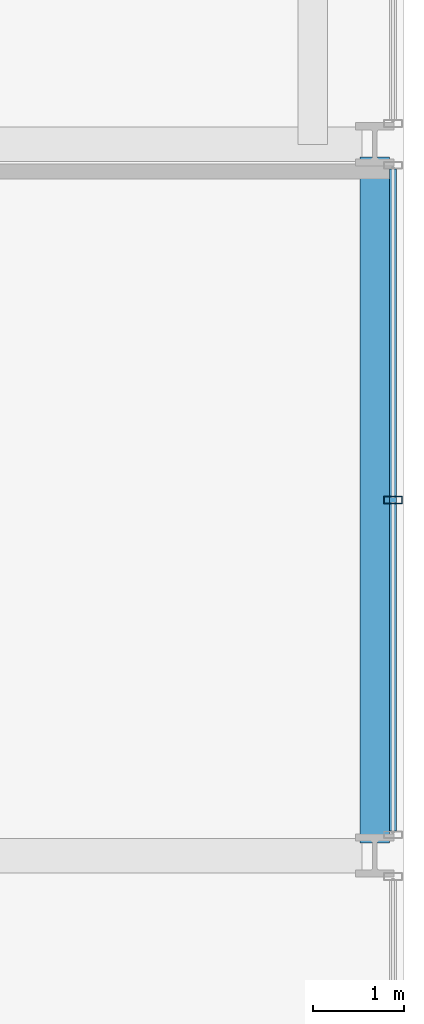
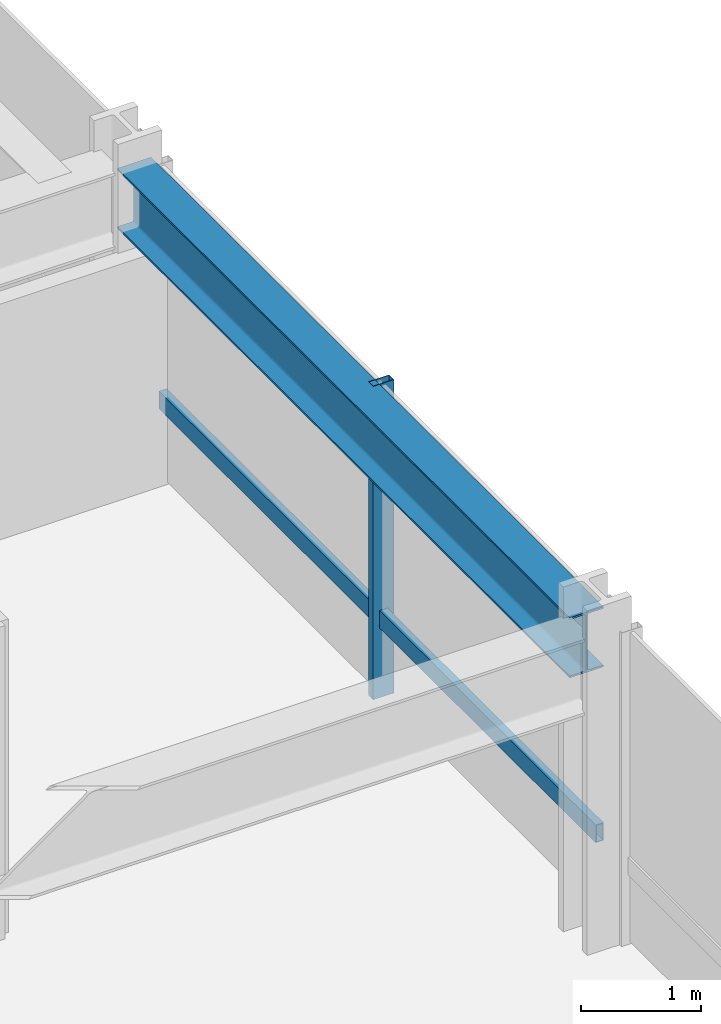
# One storey, part 14 of 37: 2 members, 1 beam, 1 element without a shape of its own.
"""IFC4 building model written with IfcOpenShell, lengths in metres."""

from ifc_helpers import new_model, si_unit, direction, frame, origin, origin_2d, place, context, subcontext, project, spatial, hollow_rectangle, i_section, extrude, material, layer, layer_set, material_profile, profile_set, type_object, element, aggregate, save


model = new_model("IFC4")

# Units and contexts
model_context = context("Model", 3, precision=1e-05, world=origin(), true_north=direction((0.0, 1.0)))
body_context = subcontext(model_context, "Body", "Model", "MODEL_VIEW")
ifc_project = project(units=[si_unit("LENGTHUNIT", "METRE"), si_unit("AREAUNIT", "SQUARE_METRE"), si_unit("VOLUMEUNIT", "CUBIC_METRE"), si_unit("PLANEANGLEUNIT", "RADIAN"), si_unit("MASSUNIT", "GRAM", prefix="KILO")], contexts=[model_context])

# Site, building, storey
site_placement = place(None, origin())
site = spatial("IfcSite", under=ifc_project, at=site_placement, CompositionType="ELEMENT")
building_placement = place(site_placement, origin())
building = spatial("IfcBuilding", under=site, at=building_placement, Name="Drelvath Grand Hotel", CompositionType="ELEMENT")
storey_placement = place(building_placement, frame((0.0, 0.0, 78.699951171875)))
storey = spatial("IfcBuildingStorey", under=building, at=storey_placement, Name="L19", CompositionType="ELEMENT", Elevation=78.699951171875)

# Curtain wall, members
ifc_material_1 = material(Name="Warm Bronze Anodised Aluminium Frame", Category="aluminium")
ifc_layer = layer(ifc_material_1, 0.199951171875)
ifc_layer_set = layer_set([ifc_layer], Name="Warm Bronze Anodised Aluminium Frame")
curtain_wall_type = type_object("IfcCurtainWallType", Name="Stick Curtain Wall CW-02 Warm Bronze Low-Rise", PredefinedType="NOTDEFINED", material=ifc_layer_set)
curtain_wall_placement = place(storey_placement, origin())
curtain_wall = element("IfcCurtainWall", 1, at=curtain_wall_placement, inside=storey, type_object=curtain_wall_type, Name="L19 CW-02 Curtain Wall CW02-L19-ES2", PredefinedType="NOTDEFINED")
ifc_material_profile_1 = material_profile(ifc_material_1, hollow_rectangle(XDim=0.074951171875, YDim=0.179931640625, WallThickness=0.0048828125, at=origin_2d()), Name="HSS180X75X5")
ifc_profile_set_1 = profile_set([ifc_material_profile_1], Name="Warm Bronze Anodised Aluminium Frame")
member_type_1 = type_object("IfcMemberType", Name="Curtain Wall Horizontal Transom CW-02 HSS180X75X5", PredefinedType="USERDEFINED", material=ifc_profile_set_1)
member_1_placement = place(storey_placement, frame((26.8798828125, 18.330810546875, 0.795166015625), z_axis=(0.0, -1.0, 0.0), x_axis=(1.0, 0.0, 0.0)))
member_1 = element("IfcMember", 2, at=member_1_placement, type_object=member_type_1, Name="CW02-L19-ES2 Sill Transom", ObjectType="TRANSOM", PredefinedType="USERDEFINED", context=body_context, shape_type="SweptSolid", body=[
    extrude(hollow_rectangle(XDim=0.074951171875, YDim=0.179931640625, WallThickness=0.0048828125, at=origin_2d()), origin(), (0.0, 0.0, 1.0), 7.26171875),
])
ifc_material_profile_2 = material_profile(ifc_material_1, hollow_rectangle(XDim=0.080078125, YDim=0.199951171875, WallThickness=0.0048828125, at=origin_2d()), Name="HSS200X80X5")
ifc_profile_set_2 = profile_set([ifc_material_profile_2], Name="Warm Bronze Anodised Aluminium Frame")
member_type_2 = type_object("IfcMemberType", Name="Curtain Wall Vertical Mullion CW-02 HSS200X80X5", PredefinedType="MULLION", material=ifc_profile_set_2)
member_2_placement = place(storey_placement, frame((26.8798828125, 14.699951171875, 0.0), z_axis=(0.0, 0.0, 1.0), x_axis=(0.0, 1.0, 0.0)))
member_2 = element("IfcMember", 3, at=member_2_placement, type_object=member_type_2, Name="CW02-L19-ES2 Mullion 2", PredefinedType="MULLION", context=body_context, shape_type="SweptSolid", body=[
    extrude(hollow_rectangle(XDim=0.080078125, YDim=0.199951171875, WallThickness=0.0048828125, at=origin_2d()), origin(), (0.0, 0.0, 1.0), 3.179931640625),
])
aggregate(curtain_wall, [member_2, member_1])

# Beam
ifc_material_2 = material(Name="Steel ASTM A992 Gr 50", Category="steel")
ifc_material_profile_3 = material_profile(ifc_material_2, i_section(OverallWidth=0.323974609375, OverallDepth=0.611083984375, WebThickness=0.0126953125, FlangeThickness=0.01904296875, FilletRadius=0.02197265625, at=origin_2d()), Name="W24X104")
ifc_profile_set_3 = profile_set([ifc_material_profile_3], Name="Steel ASTM A992 Gr 50")
beam_type = type_object("IfcBeamType", Name="Perimeter Spandrel Beam W24X104", PredefinedType="SPANDREL", material=ifc_profile_set_3)
beam_placement = place(storey_placement, frame((26.679931640625, 10.93994140625, 2.87451171875), z_axis=(0.0, 1.0, 0.0), x_axis=(-1.0, 0.0, 0.0)))
element("IfcBeam", 4, at=beam_placement, inside=storey, type_object=beam_type, Name="L19 Spandrel East S", PredefinedType="SPANDREL", context=body_context, shape_type="SweptSolid", body=[
    extrude(i_section(OverallWidth=0.323974609375, OverallDepth=0.611083984375, WebThickness=0.0126953125, FlangeThickness=0.01904296875, FilletRadius=0.02197265625, at=origin_2d()), origin(), (0.0, 0.0, 1.0), 7.52001953125),
])

save(model, "model.ifc")
